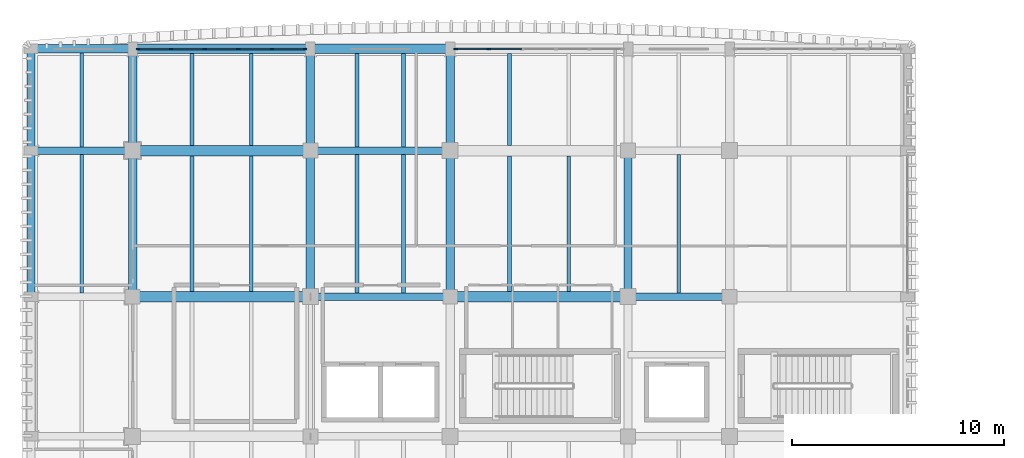
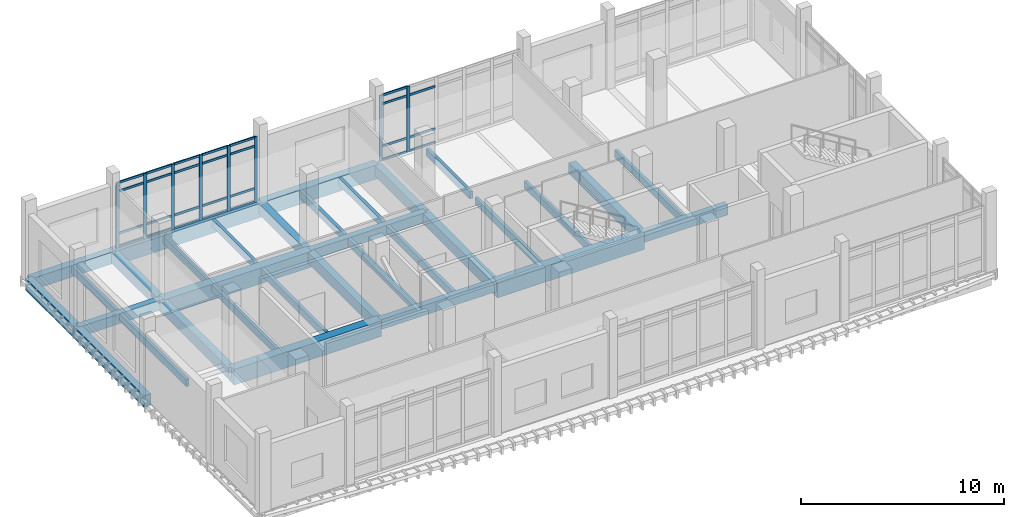
# One storey, part 4 of 37: 35 members, 33 beams, 2 elements without a shape of their own.
"""IFC4 building model written with IfcOpenShell, lengths in metres."""

from ifc_helpers import new_model, si_unit, direction, frame, origin, origin_2d, place, context, subcontext, project, spatial, rectangle, extrude, material, material_profile, profile_set, type_object, element, aggregate, save


model = new_model("IFC4")

# Units and contexts
model_context = context("Model", 3, precision=1e-05, world=origin(), true_north=direction((0.0, 1.0)))
body_context = subcontext(model_context, "Body", "Model", "MODEL_VIEW")
ifc_project = project(units=[si_unit("LENGTHUNIT", "METRE"), si_unit("AREAUNIT", "SQUARE_METRE"), si_unit("VOLUMEUNIT", "CUBIC_METRE"), si_unit("PLANEANGLEUNIT", "RADIAN"), si_unit("MASSUNIT", "GRAM", prefix="KILO")], contexts=[model_context])

# Site, building, storey
site_placement = place(None, origin())
site = spatial("IfcSite", under=ifc_project, at=site_placement, CompositionType="ELEMENT")
building_placement = place(site_placement, origin())
building = spatial("IfcBuilding", under=site, at=building_placement, Name="Dornvale Research Institute", CompositionType="ELEMENT")
storey_placement = place(building_placement, frame((0.0, 0.0, 29.39990234375)))
storey = spatial("IfcBuildingStorey", under=building, at=storey_placement, Name="L06", CompositionType="ELEMENT", Elevation=29.39990234375)

# Beams
ifc_material_1 = material(Name="Concrete f'c 45 MPa (C35/45)", Category="concrete")
ifc_material_profile_1 = material_profile(ifc_material_1, rectangle(XDim=0.35009765625, YDim=0.60009765625, at=origin_2d()), Name="RC 350x600")
ifc_profile_set_1 = profile_set([ifc_material_profile_1], Name="Concrete f'c 45 MPa (C35/45)")
beam_type_1 = type_object("IfcBeamType", Name="Beam_RC350x600_Floor", PredefinedType="BEAM", material=ifc_profile_set_1)
beam_1_placement = place(storey_placement, frame((13.199951171875, 110.39990234375, -0.2998046875), z_axis=(1.0, 0.0, 0.0), x_axis=(0.0, 1.0, 0.0)))
element("IfcBeam", 1, at=beam_1_placement, inside=storey, type_object=beam_type_1, Name="L06 primary girder #1454", PredefinedType="BEAM", context=body_context, shape_type="SweptSolid", body=[
    extrude(rectangle(XDim=0.35009765625, YDim=0.60009765625, at=origin_2d()), origin(), (0.0, 0.0, 1.0), 6.60009765625),
])
for number, where, z_axis, x_axis, name in (
    (2, (28.199951171875, 110.39990234375, -0.2998046875), (1.0, 0.0, 0.0), (0.0, 1.0, 0.0), "L06 primary girder #1456"),
    (3, (0.0, 117.300048828125, -0.2998046875), (1.0, 0.0, 0.0), (0.0, 1.0, 0.0), "L06 primary girder #1458"),
):
    element("IfcBeam", number, at=place(storey_placement, frame(where, z_axis=z_axis, x_axis=x_axis)), inside=storey, type_object=beam_type_1, Name=name, PredefinedType="BEAM", context=body_context, shape_type="SweptSolid", body=[
        extrude(rectangle(XDim=0.35009765625, YDim=0.60009765625, at=origin_2d()), origin(), (0.0, 0.0, 1.0), 4.800048828125),
    ])
beam_2_placement = place(storey_placement, frame((13.199951171875, 117.300048828125, -0.2998046875), z_axis=(1.0, 0.0, 0.0), x_axis=(0.0, 1.0, 0.0)))
element("IfcBeam", 4, at=beam_2_placement, inside=storey, type_object=beam_type_1, Name="L06 primary girder #1460", PredefinedType="BEAM", context=body_context, shape_type="SweptSolid", body=[
    extrude(rectangle(XDim=0.35009765625, YDim=0.60009765625, at=origin_2d()), origin(), (0.0, 0.0, 1.0), 6.60009765625),
])
ifc_material_2 = material(Name="Concrete f'c 45 MPa (C35/45)", Category="concrete")
ifc_material_profile_2 = material_profile(ifc_material_2, rectangle(XDim=0.39990234375, YDim=0.64990234375, at=origin_2d()), Name="RC 400x650")
ifc_profile_set_2 = profile_set([ifc_material_profile_2], Name="Concrete f'c 45 MPa (C35/45)")
beam_type_2 = type_object("IfcBeamType", Name="Beam_RC400x650_Floor", PredefinedType="BEAM", material=ifc_profile_set_2)
beam_3_placement = place(storey_placement, frame((4.800048828125, 110.39990234375, -0.324951171875), z_axis=(0.0, 1.0, 0.0), x_axis=(-1.0, 0.0, 0.0)))
element("IfcBeam", 5, at=beam_3_placement, inside=storey, type_object=beam_type_2, Name="L06 transverse girder #1476", PredefinedType="BEAM", context=body_context, shape_type="SweptSolid", body=[
    extrude(rectangle(XDim=0.39990234375, YDim=0.64990234375, at=origin_2d()), origin(), (0.0, 0.0, 1.0), 6.900146484375),
])
beam_4_placement = place(storey_placement, frame((4.800048828125, 117.300048828125, -0.324951171875), z_axis=(0.0, 1.0, 0.0), x_axis=(-1.0, 0.0, 0.0)))
element("IfcBeam", 6, at=beam_4_placement, inside=storey, type_object=beam_type_2, Name="L06 transverse girder #1477", PredefinedType="BEAM", context=body_context, shape_type="SweptSolid", body=[
    extrude(rectangle(XDim=0.39990234375, YDim=0.64990234375, at=origin_2d()), origin(), (0.0, 0.0, 1.0), 4.800048828125),
])
beam_5_placement = place(storey_placement, frame((13.199951171875, 110.39990234375, -0.324951171875), z_axis=(0.0, 1.0, 0.0), x_axis=(-1.0, 0.0, 0.0)))
element("IfcBeam", 7, at=beam_5_placement, inside=storey, type_object=beam_type_2, Name="L06 transverse girder #1480", PredefinedType="BEAM", context=body_context, shape_type="SweptSolid", body=[
    extrude(rectangle(XDim=0.39990234375, YDim=0.64990234375, at=origin_2d()), origin(), (0.0, 0.0, 1.0), 6.900146484375),
])
beam_6_placement = place(storey_placement, frame((13.199951171875, 117.300048828125, -0.324951171875), z_axis=(0.0, 1.0, 0.0), x_axis=(-1.0, 0.0, 0.0)))
element("IfcBeam", 8, at=beam_6_placement, inside=storey, type_object=beam_type_2, Name="L06 transverse girder #1481", PredefinedType="BEAM", context=body_context, shape_type="SweptSolid", body=[
    extrude(rectangle(XDim=0.39990234375, YDim=0.64990234375, at=origin_2d()), origin(), (0.0, 0.0, 1.0), 4.800048828125),
])
beam_7_placement = place(storey_placement, frame((19.800048828125, 110.39990234375, -0.324951171875), z_axis=(0.0, 1.0, 0.0), x_axis=(-1.0, 0.0, 0.0)))
element("IfcBeam", 9, at=beam_7_placement, inside=storey, type_object=beam_type_2, Name="L06 transverse girder #1484", PredefinedType="BEAM", context=body_context, shape_type="SweptSolid", body=[
    extrude(rectangle(XDim=0.39990234375, YDim=0.64990234375, at=origin_2d()), origin(), (0.0, 0.0, 1.0), 6.900146484375),
])
beam_8_placement = place(storey_placement, frame((19.800048828125, 117.300048828125, -0.324951171875), z_axis=(0.0, 1.0, 0.0), x_axis=(-1.0, 0.0, 0.0)))
element("IfcBeam", 10, at=beam_8_placement, inside=storey, type_object=beam_type_2, Name="L06 transverse girder #1485", PredefinedType="BEAM", context=body_context, shape_type="SweptSolid", body=[
    extrude(rectangle(XDim=0.39990234375, YDim=0.64990234375, at=origin_2d()), origin(), (0.0, 0.0, 1.0), 4.800048828125),
])
beam_9_placement = place(storey_placement, frame((28.199951171875, 110.39990234375, -0.324951171875), z_axis=(0.0, 1.0, 0.0), x_axis=(-1.0, 0.0, 0.0)))
element("IfcBeam", 11, at=beam_9_placement, inside=storey, type_object=beam_type_2, Name="L06 transverse girder #1488", PredefinedType="BEAM", context=body_context, shape_type="SweptSolid", body=[
    extrude(rectangle(XDim=0.39990234375, YDim=0.64990234375, at=origin_2d()), origin(), (0.0, 0.0, 1.0), 6.900146484375),
])
ifc_material_3 = material(Name="Concrete f'c 45 MPa (C35/45)", Category="concrete")
ifc_material_profile_3 = material_profile(ifc_material_3, rectangle(XDim=0.5, YDim=0.949951171875, at=origin_2d()), Name="RC 500x950")
ifc_profile_set_3 = profile_set([ifc_material_profile_3], Name="Concrete f'c 45 MPa (C35/45)")
beam_type_3 = type_object("IfcBeamType", Name="Beam_RC500x950_Girder", PredefinedType="BEAM", material=ifc_profile_set_3)
for number, where, z_axis, x_axis, name in (
    (12, (4.800048828125, 110.39990234375, -0.474853515625), (1.0, 0.0, 0.0), (0.0, 1.0, 0.0), "L06 primary girder #1453"),
    (13, (19.800048828125, 110.39990234375, -0.474853515625), (1.0, 0.0, 0.0), (0.0, 1.0, 0.0), "L06 primary girder #1455"),
    (14, (4.800048828125, 117.300048828125, -0.474853515625), (1.0, 0.0, 0.0), (0.0, 1.0, 0.0), "L06 primary girder #1459"),
):
    element("IfcBeam", number, at=place(storey_placement, frame(where, z_axis=z_axis, x_axis=x_axis)), inside=storey, type_object=beam_type_3, Name=name, PredefinedType="BEAM", context=body_context, shape_type="SweptSolid", body=[
        extrude(rectangle(XDim=0.5, YDim=0.949951171875, at=origin_2d()), origin(), (0.0, 0.0, 1.0), 8.39990234375),
    ])
ifc_material_4 = material(Name="Concrete f'c 45 MPa (C35/45)", Category="concrete")
ifc_material_profile_4 = material_profile(ifc_material_4, rectangle(XDim=0.179931640625, YDim=0.43505859375, at=origin_2d()), Name="RC 180x435")
ifc_profile_set_4 = profile_set([ifc_material_profile_4], Name="Concrete f'c 45 MPa (C35/45)")
beam_type_4 = type_object("IfcBeamType", Name="Joist_RC180x435_Rib", PredefinedType="JOIST", material=ifc_profile_set_4)
beam_10_placement = place(storey_placement, frame((2.39990234375, 110.574951171875, -0.21728515625), z_axis=(0.0, 1.0, 0.0), x_axis=(-1.0, 0.0, 0.0)))
element("IfcBeam", 15, at=beam_10_placement, inside=storey, type_object=beam_type_4, Name="L06 laboratory waffle joist #696", PredefinedType="JOIST", context=body_context, shape_type="SweptSolid", body=[
    extrude(rectangle(XDim=0.179931640625, YDim=0.43505859375, at=origin_2d()), origin(), (0.0, 0.0, 1.0), 6.550048828125),
])
beam_11_placement = place(storey_placement, frame((2.39990234375, 117.47509765625, -0.21728515625), z_axis=(0.0, 1.0, 0.0), x_axis=(-1.0, 0.0, 0.0)))
element("IfcBeam", 16, at=beam_11_placement, inside=storey, type_object=beam_type_4, Name="L06 laboratory waffle joist #697", PredefinedType="JOIST", context=body_context, shape_type="SweptSolid", body=[
    extrude(rectangle(XDim=0.179931640625, YDim=0.43505859375, at=origin_2d()), origin(), (0.0, 0.0, 1.0), 4.4248046875),
])
for number, where, z_axis, x_axis, name in (
    (17, (7.60009765625, 110.64990234375, -0.21728515625), (0.0, 1.0, 0.0), (-1.0, 0.0, 0.0), "L06 laboratory waffle joist #702"),
    (18, (10.39990234375, 110.64990234375, -0.21728515625), (0.0, 1.0, 0.0), (-1.0, 0.0, 0.0), "L06 laboratory waffle joist #703"),
):
    element("IfcBeam", number, at=place(storey_placement, frame(where, z_axis=z_axis, x_axis=x_axis)), inside=storey, type_object=beam_type_4, Name=name, PredefinedType="JOIST", context=body_context, shape_type="SweptSolid", body=[
        extrude(rectangle(XDim=0.179931640625, YDim=0.43505859375, at=origin_2d()), origin(), (0.0, 0.0, 1.0), 6.400146484375),
    ])
for number, where, z_axis, x_axis, name in (
    (19, (7.60009765625, 117.550048828125, -0.21728515625), (0.0, 1.0, 0.0), (-1.0, 0.0, 0.0), "L06 laboratory waffle joist #704"),
    (20, (10.39990234375, 117.550048828125, -0.21728515625), (0.0, 1.0, 0.0), (-1.0, 0.0, 0.0), "L06 laboratory waffle joist #705"),
):
    element("IfcBeam", number, at=place(storey_placement, frame(where, z_axis=z_axis, x_axis=x_axis)), inside=storey, type_object=beam_type_4, Name=name, PredefinedType="JOIST", context=body_context, shape_type="SweptSolid", body=[
        extrude(rectangle(XDim=0.179931640625, YDim=0.43505859375, at=origin_2d()), origin(), (0.0, 0.0, 1.0), 4.324951171875),
    ])
for number, where, z_axis, x_axis, name in (
    (21, (15.39990234375, 110.574951171875, -0.21728515625), (0.0, 1.0, 0.0), (-1.0, 0.0, 0.0), "L06 laboratory waffle joist #708"),
    (22, (17.60009765625, 110.574951171875, -0.21728515625), (0.0, 1.0, 0.0), (-1.0, 0.0, 0.0), "L06 laboratory waffle joist #709"),
):
    element("IfcBeam", number, at=place(storey_placement, frame(where, z_axis=z_axis, x_axis=x_axis)), inside=storey, type_object=beam_type_4, Name=name, PredefinedType="JOIST", context=body_context, shape_type="SweptSolid", body=[
        extrude(rectangle(XDim=0.179931640625, YDim=0.43505859375, at=origin_2d()), origin(), (0.0, 0.0, 1.0), 6.550048828125),
    ])
for number, where, z_axis, x_axis, name in (
    (23, (15.39990234375, 117.47509765625, -0.21728515625), (0.0, 1.0, 0.0), (-1.0, 0.0, 0.0), "L06 laboratory waffle joist #710"),
    (24, (17.60009765625, 117.47509765625, -0.21728515625), (0.0, 1.0, 0.0), (-1.0, 0.0, 0.0), "L06 laboratory waffle joist #711"),
):
    element("IfcBeam", number, at=place(storey_placement, frame(where, z_axis=z_axis, x_axis=x_axis)), inside=storey, type_object=beam_type_4, Name=name, PredefinedType="JOIST", context=body_context, shape_type="SweptSolid", body=[
        extrude(rectangle(XDim=0.179931640625, YDim=0.43505859375, at=origin_2d()), origin(), (0.0, 0.0, 1.0), 4.39990234375),
    ])
for number, where, z_axis, x_axis, name in (
    (25, (22.60009765625, 110.64990234375, -0.21728515625), (0.0, 1.0, 0.0), (-1.0, 0.0, 0.0), "L06 laboratory waffle joist #714"),
    (26, (25.39990234375, 110.64990234375, -0.21728515625), (0.0, 1.0, 0.0), (-1.0, 0.0, 0.0), "L06 laboratory waffle joist #715"),
):
    element("IfcBeam", number, at=place(storey_placement, frame(where, z_axis=z_axis, x_axis=x_axis)), inside=storey, type_object=beam_type_4, Name=name, PredefinedType="JOIST", context=body_context, shape_type="SweptSolid", body=[
        extrude(rectangle(XDim=0.179931640625, YDim=0.43505859375, at=origin_2d()), origin(), (0.0, 0.0, 1.0), 6.400146484375),
    ])
beam_12_placement = place(storey_placement, frame((22.60009765625, 117.550048828125, -0.21728515625), z_axis=(0.0, 1.0, 0.0), x_axis=(-1.0, 0.0, 0.0)))
element("IfcBeam", 27, at=beam_12_placement, inside=storey, type_object=beam_type_4, Name="L06 laboratory waffle joist #716", PredefinedType="JOIST", context=body_context, shape_type="SweptSolid", body=[
    extrude(rectangle(XDim=0.179931640625, YDim=0.43505859375, at=origin_2d()), origin(), (0.0, 0.0, 1.0), 4.324951171875),
])
beam_13_placement = place(storey_placement, frame((30.60009765625, 110.574951171875, -0.21728515625), z_axis=(0.0, 1.0, 0.0), x_axis=(-1.0, 0.0, 0.0)))
element("IfcBeam", 28, at=beam_13_placement, inside=storey, type_object=beam_type_4, Name="L06 laboratory waffle joist #719", PredefinedType="JOIST", context=body_context, shape_type="SweptSolid", body=[
    extrude(rectangle(XDim=0.179931640625, YDim=0.43505859375, at=origin_2d()), origin(), (0.0, 0.0, 1.0), 6.550048828125),
])

# Curtain wall, members
ifc_material_5 = material(Name="Low-E Argon Double Insulating Glazing Unit", Category="glass")
curtain_wall_type = type_object("IfcCurtainWallType", Name="UnitisedCurtainWall_V5_7950x3950", PredefinedType="USERDEFINED", material=ifc_material_5)
curtain_wall_1_placement = place(storey_placement, origin())
curtain_wall_1 = element("IfcCurtainWall", 29, at=curtain_wall_1_placement, inside=storey, type_object=curtain_wall_type, Name="L06 V5 unitised curtain wall CW-30 #173", ObjectType="UNITISED CURTAIN WALL", PredefinedType="USERDEFINED")
ifc_material_6 = material(Name="Anodized Aluminum AA 6063-T6 Thermally Broken Frame", Category="aluminium")
ifc_material_profile_5 = material_profile(ifc_material_6, rectangle(XDim=0.06494140625, YDim=0.179931640625, at=origin_2d()), Name="ALU MULLION 65x180")
ifc_profile_set_5 = profile_set([ifc_material_profile_5], Name="Anodized Aluminum AA 6063-T6 Thermally Broken Frame")
member_type_1 = type_object("IfcMemberType", Name="Mullion_CW_65x180", PredefinedType="MULLION", material=ifc_profile_set_5)
member_1_placement = place(storey_placement, frame((5.0576171875, 122.10009765625, 0.0), z_axis=(0.0, 0.0, 1.0), x_axis=(0.0, 1.0, 0.0)))
member_1 = element("IfcMember", 30, at=member_1_placement, type_object=member_type_1, Name="CW-30 mullion 1", PredefinedType="MULLION", context=body_context, shape_type="SweptSolid", body=[
    extrude(rectangle(XDim=0.06494140625, YDim=0.179931640625, at=origin_2d()), origin(), (0.0, 0.0, 1.0), 3.9501953125),
])
member_2_placement = place(storey_placement, frame((6.614990234375, 122.10009765625, 0.0), z_axis=(0.0, 0.0, 1.0), x_axis=(0.0, 1.0, 0.0)))
member_2 = element("IfcMember", 31, at=member_2_placement, type_object=member_type_1, Name="CW-30 mullion 2", PredefinedType="MULLION", context=body_context, shape_type="SweptSolid", body=[
    extrude(rectangle(XDim=0.06494140625, YDim=0.179931640625, at=origin_2d()), origin(), (0.0, 0.0, 1.0), 3.9501953125),
])
member_3_placement = place(storey_placement, frame((8.205078125, 122.10009765625, 0.0), z_axis=(0.0, 0.0, 1.0), x_axis=(0.0, 1.0, 0.0)))
member_3 = element("IfcMember", 32, at=member_3_placement, type_object=member_type_1, Name="CW-30 mullion 3", PredefinedType="MULLION", context=body_context, shape_type="SweptSolid", body=[
    extrude(rectangle(XDim=0.06494140625, YDim=0.179931640625, at=origin_2d()), origin(), (0.0, 0.0, 1.0), 3.9501953125),
])
member_4_placement = place(storey_placement, frame((9.794921875, 122.10009765625, 0.0), z_axis=(0.0, 0.0, 1.0), x_axis=(0.0, 1.0, 0.0)))
member_4 = element("IfcMember", 33, at=member_4_placement, type_object=member_type_1, Name="CW-30 mullion 4", PredefinedType="MULLION", context=body_context, shape_type="SweptSolid", body=[
    extrude(rectangle(XDim=0.06494140625, YDim=0.179931640625, at=origin_2d()), origin(), (0.0, 0.0, 1.0), 3.9501953125),
])
member_5_placement = place(storey_placement, frame((11.385009765625, 122.10009765625, 0.0), z_axis=(0.0, 0.0, 1.0), x_axis=(0.0, 1.0, 0.0)))
member_5 = element("IfcMember", 34, at=member_5_placement, type_object=member_type_1, Name="CW-30 mullion 5", PredefinedType="MULLION", context=body_context, shape_type="SweptSolid", body=[
    extrude(rectangle(XDim=0.06494140625, YDim=0.179931640625, at=origin_2d()), origin(), (0.0, 0.0, 1.0), 3.9501953125),
])
member_6_placement = place(storey_placement, frame((12.9423828125, 122.10009765625, 0.0), z_axis=(0.0, 0.0, 1.0), x_axis=(0.0, 1.0, 0.0)))
member_6 = element("IfcMember", 35, at=member_6_placement, type_object=member_type_1, Name="CW-30 mullion 6", PredefinedType="MULLION", context=body_context, shape_type="SweptSolid", body=[
    extrude(rectangle(XDim=0.06494140625, YDim=0.179931640625, at=origin_2d()), origin(), (0.0, 0.0, 1.0), 3.9501953125),
])

curtain_wall_2_placement = place(storey_placement, origin())
curtain_wall_2 = element("IfcCurtainWall", 36, at=curtain_wall_2_placement, inside=storey, type_object=curtain_wall_type, Name="L06 V5 unitised curtain wall CW-30 #174", ObjectType="UNITISED CURTAIN WALL", PredefinedType="USERDEFINED")
member_7_placement = place(storey_placement, frame((20.0576171875, 122.10009765625, 0.0), z_axis=(0.0, 0.0, 1.0), x_axis=(0.0, 1.0, 0.0)))
member_7 = element("IfcMember", 37, at=member_7_placement, type_object=member_type_1, Name="CW-30 mullion 1", PredefinedType="MULLION", context=body_context, shape_type="SweptSolid", body=[
    extrude(rectangle(XDim=0.06494140625, YDim=0.179931640625, at=origin_2d()), origin(), (0.0, 0.0, 1.0), 3.9501953125),
])
member_8_placement = place(storey_placement, frame((21.614990234375, 122.10009765625, 0.0), z_axis=(0.0, 0.0, 1.0), x_axis=(0.0, 1.0, 0.0)))
member_8 = element("IfcMember", 38, at=member_8_placement, type_object=member_type_1, Name="CW-30 mullion 2", PredefinedType="MULLION", context=body_context, shape_type="SweptSolid", body=[
    extrude(rectangle(XDim=0.06494140625, YDim=0.179931640625, at=origin_2d()), origin(), (0.0, 0.0, 1.0), 3.9501953125),
])

# Beams
ifc_material_7 = material(Name="Concrete f'c 45 MPa (C35/45)", Category="concrete")
ifc_material_profile_6 = material_profile(ifc_material_7, rectangle(XDim=0.39990234375, YDim=0.699951171875, at=origin_2d()), Name="RC 400x700")
ifc_profile_set_6 = profile_set([ifc_material_profile_6], Name="Concrete f'c 45 MPa (C35/45)")
beam_type_5 = type_object("IfcBeamType", Name="Spandrel_RC400x700_Ext", PredefinedType="SPANDREL", material=ifc_profile_set_6)
beam_14_placement = place(storey_placement, frame((0.0, 122.10009765625, -0.349853515625), z_axis=(1.0, 0.0, 0.0), x_axis=(0.0, 1.0, 0.0)))
element("IfcBeam", 39, at=beam_14_placement, inside=storey, type_object=beam_type_5, Name="L06 perimeter spandrel #1464", PredefinedType="SPANDREL", context=body_context, shape_type="SweptSolid", body=[
    extrude(rectangle(XDim=0.39990234375, YDim=0.699951171875, at=origin_2d()), origin(), (0.0, 0.0, 1.0), 4.800048828125),
])
beam_15_placement = place(storey_placement, frame((0.0, 110.39990234375, -0.349853515625), z_axis=(0.0, 1.0, 0.0), x_axis=(-1.0, 0.0, 0.0)))
element("IfcBeam", 40, at=beam_15_placement, inside=storey, type_object=beam_type_5, Name="L06 perimeter spandrel #1472", PredefinedType="SPANDREL", context=body_context, shape_type="SweptSolid", body=[
    extrude(rectangle(XDim=0.39990234375, YDim=0.699951171875, at=origin_2d()), origin(), (0.0, 0.0, 1.0), 6.900146484375),
])
beam_16_placement = place(storey_placement, frame((0.0, 117.300048828125, -0.349853515625), z_axis=(0.0, 1.0, 0.0), x_axis=(-1.0, 0.0, 0.0)))
element("IfcBeam", 41, at=beam_16_placement, inside=storey, type_object=beam_type_5, Name="L06 perimeter spandrel #1473", PredefinedType="SPANDREL", context=body_context, shape_type="SweptSolid", body=[
    extrude(rectangle(XDim=0.39990234375, YDim=0.699951171875, at=origin_2d()), origin(), (0.0, 0.0, 1.0), 4.800048828125),
])
ifc_material_8 = material(Name="Concrete f'c 45 MPa (C35/45)", Category="concrete")
ifc_material_profile_7 = material_profile(ifc_material_8, rectangle(XDim=0.449951171875, YDim=0.85009765625, at=origin_2d()), Name="RC 450x850")
ifc_profile_set_7 = profile_set([ifc_material_profile_7], Name="Concrete f'c 45 MPa (C35/45)")
beam_type_6 = type_object("IfcBeamType", Name="Spandrel_RC450x850_Ext", PredefinedType="SPANDREL", material=ifc_profile_set_7)
beam_17_placement = place(storey_placement, frame((4.800048828125, 122.10009765625, -0.4248046875), z_axis=(1.0, 0.0, 0.0), x_axis=(0.0, 1.0, 0.0)))
element("IfcBeam", 42, at=beam_17_placement, inside=storey, type_object=beam_type_6, Name="L06 perimeter spandrel #1465", PredefinedType="SPANDREL", context=body_context, shape_type="SweptSolid", body=[
    extrude(rectangle(XDim=0.449951171875, YDim=0.85009765625, at=origin_2d()), origin(), (0.0, 0.0, 1.0), 8.39990234375),
])
beam_18_placement = place(storey_placement, frame((13.199951171875, 122.10009765625, -0.4248046875), z_axis=(1.0, 0.0, 0.0), x_axis=(0.0, 1.0, 0.0)))
element("IfcBeam", 43, at=beam_18_placement, inside=storey, type_object=beam_type_6, Name="L06 perimeter spandrel #1466", PredefinedType="SPANDREL", context=body_context, shape_type="SweptSolid", body=[
    extrude(rectangle(XDim=0.449951171875, YDim=0.85009765625, at=origin_2d()), origin(), (0.0, 0.0, 1.0), 6.60009765625),
])

# Member
ifc_material_9 = material(Name="Anodized Aluminum AA 6063-T6 Thermally Broken Frame", Category="aluminium")
ifc_material_profile_8 = material_profile(ifc_material_9, rectangle(XDim=0.06494140625, YDim=0.135009765625, at=origin_2d()), Name="ALU TRANSOM 65x135")
ifc_profile_set_8 = profile_set([ifc_material_profile_8], Name="Anodized Aluminum AA 6063-T6 Thermally Broken Frame")
member_type_2 = type_object("IfcMemberType", Name="Transom_CW_65x135", PredefinedType="USERDEFINED", material=ifc_profile_set_8)
member_9_placement = place(storey_placement, frame((5.090087890625, 122.10009765625, 0.03271484375), z_axis=(1.0, 0.0, 0.0), x_axis=(0.0, 1.0, 0.0)))
member_9 = element("IfcMember", 44, at=member_9_placement, type_object=member_type_2, Name="CW-30 transom 1.1", ObjectType="TRANSOM", PredefinedType="USERDEFINED", context=body_context, shape_type="SweptSolid", body=[
    extrude(rectangle(XDim=0.06494140625, YDim=0.135009765625, at=origin_2d()), origin(), (0.0, 0.0, 1.0), 1.492431640625),
])

member_10_placement = place(storey_placement, frame((5.090087890625, 122.10009765625, 0.85009765625), z_axis=(1.0, 0.0, 0.0), x_axis=(0.0, 1.0, 0.0)))
member_10 = element("IfcMember", 45, at=member_10_placement, type_object=member_type_2, Name="CW-30 transom 1.2", ObjectType="TRANSOM", PredefinedType="USERDEFINED", context=body_context, shape_type="SweptSolid", body=[
    extrude(rectangle(XDim=0.06494140625, YDim=0.135009765625, at=origin_2d()), origin(), (0.0, 0.0, 1.0), 1.492431640625),
])

member_11_placement = place(storey_placement, frame((5.090087890625, 122.10009765625, 3.400146484375), z_axis=(1.0, 0.0, 0.0), x_axis=(0.0, 1.0, 0.0)))
member_11 = element("IfcMember", 46, at=member_11_placement, type_object=member_type_2, Name="CW-30 transom 1.3", ObjectType="TRANSOM", PredefinedType="USERDEFINED", context=body_context, shape_type="SweptSolid", body=[
    extrude(rectangle(XDim=0.06494140625, YDim=0.135009765625, at=origin_2d()), origin(), (0.0, 0.0, 1.0), 1.492431640625),
])

member_12_placement = place(storey_placement, frame((5.090087890625, 122.10009765625, 3.91748046875), z_axis=(1.0, 0.0, 0.0), x_axis=(0.0, 1.0, 0.0)))
member_12 = element("IfcMember", 47, at=member_12_placement, type_object=member_type_2, Name="CW-30 transom 1.4", ObjectType="TRANSOM", PredefinedType="USERDEFINED", context=body_context, shape_type="SweptSolid", body=[
    extrude(rectangle(XDim=0.06494140625, YDim=0.135009765625, at=origin_2d()), origin(), (0.0, 0.0, 1.0), 1.492431640625),
])

member_13_placement = place(storey_placement, frame((6.6474609375, 122.10009765625, 0.03271484375), z_axis=(1.0, 0.0, 0.0), x_axis=(0.0, 1.0, 0.0)))
member_13 = element("IfcMember", 48, at=member_13_placement, type_object=member_type_2, Name="CW-30 transom 2.1", ObjectType="TRANSOM", PredefinedType="USERDEFINED", context=body_context, shape_type="SweptSolid", body=[
    extrude(rectangle(XDim=0.06494140625, YDim=0.135009765625, at=origin_2d()), origin(), (0.0, 0.0, 1.0), 1.525146484375),
])

member_14_placement = place(storey_placement, frame((6.6474609375, 122.10009765625, 0.85009765625), z_axis=(1.0, 0.0, 0.0), x_axis=(0.0, 1.0, 0.0)))
member_14 = element("IfcMember", 49, at=member_14_placement, type_object=member_type_2, Name="CW-30 transom 2.2", ObjectType="TRANSOM", PredefinedType="USERDEFINED", context=body_context, shape_type="SweptSolid", body=[
    extrude(rectangle(XDim=0.06494140625, YDim=0.135009765625, at=origin_2d()), origin(), (0.0, 0.0, 1.0), 1.525146484375),
])

member_15_placement = place(storey_placement, frame((6.6474609375, 122.10009765625, 3.400146484375), z_axis=(1.0, 0.0, 0.0), x_axis=(0.0, 1.0, 0.0)))
member_15 = element("IfcMember", 50, at=member_15_placement, type_object=member_type_2, Name="CW-30 transom 2.3", ObjectType="TRANSOM", PredefinedType="USERDEFINED", context=body_context, shape_type="SweptSolid", body=[
    extrude(rectangle(XDim=0.06494140625, YDim=0.135009765625, at=origin_2d()), origin(), (0.0, 0.0, 1.0), 1.525146484375),
])

member_16_placement = place(storey_placement, frame((6.6474609375, 122.10009765625, 3.91748046875), z_axis=(1.0, 0.0, 0.0), x_axis=(0.0, 1.0, 0.0)))
member_16 = element("IfcMember", 51, at=member_16_placement, type_object=member_type_2, Name="CW-30 transom 2.4", ObjectType="TRANSOM", PredefinedType="USERDEFINED", context=body_context, shape_type="SweptSolid", body=[
    extrude(rectangle(XDim=0.06494140625, YDim=0.135009765625, at=origin_2d()), origin(), (0.0, 0.0, 1.0), 1.525146484375),
])

member_17_placement = place(storey_placement, frame((8.237548828125, 122.10009765625, 0.03271484375), z_axis=(1.0, 0.0, 0.0), x_axis=(0.0, 1.0, 0.0)))
member_17 = element("IfcMember", 52, at=member_17_placement, type_object=member_type_2, Name="CW-30 transom 3.1", ObjectType="TRANSOM", PredefinedType="USERDEFINED", context=body_context, shape_type="SweptSolid", body=[
    extrude(rectangle(XDim=0.06494140625, YDim=0.135009765625, at=origin_2d()), origin(), (0.0, 0.0, 1.0), 1.52490234375),
])

member_18_placement = place(storey_placement, frame((8.237548828125, 122.10009765625, 0.85009765625), z_axis=(1.0, 0.0, 0.0), x_axis=(0.0, 1.0, 0.0)))
member_18 = element("IfcMember", 53, at=member_18_placement, type_object=member_type_2, Name="CW-30 transom 3.2", ObjectType="TRANSOM", PredefinedType="USERDEFINED", context=body_context, shape_type="SweptSolid", body=[
    extrude(rectangle(XDim=0.06494140625, YDim=0.135009765625, at=origin_2d()), origin(), (0.0, 0.0, 1.0), 1.52490234375),
])

member_19_placement = place(storey_placement, frame((8.237548828125, 122.10009765625, 3.400146484375), z_axis=(1.0, 0.0, 0.0), x_axis=(0.0, 1.0, 0.0)))
member_19 = element("IfcMember", 54, at=member_19_placement, type_object=member_type_2, Name="CW-30 transom 3.3", ObjectType="TRANSOM", PredefinedType="USERDEFINED", context=body_context, shape_type="SweptSolid", body=[
    extrude(rectangle(XDim=0.06494140625, YDim=0.135009765625, at=origin_2d()), origin(), (0.0, 0.0, 1.0), 1.52490234375),
])

member_20_placement = place(storey_placement, frame((8.237548828125, 122.10009765625, 3.91748046875), z_axis=(1.0, 0.0, 0.0), x_axis=(0.0, 1.0, 0.0)))
member_20 = element("IfcMember", 55, at=member_20_placement, type_object=member_type_2, Name="CW-30 transom 3.4", ObjectType="TRANSOM", PredefinedType="USERDEFINED", context=body_context, shape_type="SweptSolid", body=[
    extrude(rectangle(XDim=0.06494140625, YDim=0.135009765625, at=origin_2d()), origin(), (0.0, 0.0, 1.0), 1.52490234375),
])

member_21_placement = place(storey_placement, frame((9.827392578125, 122.10009765625, 0.03271484375), z_axis=(1.0, 0.0, 0.0), x_axis=(0.0, 1.0, 0.0)))
member_21 = element("IfcMember", 56, at=member_21_placement, type_object=member_type_2, Name="CW-30 transom 4.1", ObjectType="TRANSOM", PredefinedType="USERDEFINED", context=body_context, shape_type="SweptSolid", body=[
    extrude(rectangle(XDim=0.06494140625, YDim=0.135009765625, at=origin_2d()), origin(), (0.0, 0.0, 1.0), 1.525146484375),
])

member_22_placement = place(storey_placement, frame((9.827392578125, 122.10009765625, 0.85009765625), z_axis=(1.0, 0.0, 0.0), x_axis=(0.0, 1.0, 0.0)))
member_22 = element("IfcMember", 57, at=member_22_placement, type_object=member_type_2, Name="CW-30 transom 4.2", ObjectType="TRANSOM", PredefinedType="USERDEFINED", context=body_context, shape_type="SweptSolid", body=[
    extrude(rectangle(XDim=0.06494140625, YDim=0.135009765625, at=origin_2d()), origin(), (0.0, 0.0, 1.0), 1.525146484375),
])

member_23_placement = place(storey_placement, frame((9.827392578125, 122.10009765625, 3.400146484375), z_axis=(1.0, 0.0, 0.0), x_axis=(0.0, 1.0, 0.0)))
member_23 = element("IfcMember", 58, at=member_23_placement, type_object=member_type_2, Name="CW-30 transom 4.3", ObjectType="TRANSOM", PredefinedType="USERDEFINED", context=body_context, shape_type="SweptSolid", body=[
    extrude(rectangle(XDim=0.06494140625, YDim=0.135009765625, at=origin_2d()), origin(), (0.0, 0.0, 1.0), 1.525146484375),
])

member_24_placement = place(storey_placement, frame((9.827392578125, 122.10009765625, 3.91748046875), z_axis=(1.0, 0.0, 0.0), x_axis=(0.0, 1.0, 0.0)))
member_24 = element("IfcMember", 59, at=member_24_placement, type_object=member_type_2, Name="CW-30 transom 4.4", ObjectType="TRANSOM", PredefinedType="USERDEFINED", context=body_context, shape_type="SweptSolid", body=[
    extrude(rectangle(XDim=0.06494140625, YDim=0.135009765625, at=origin_2d()), origin(), (0.0, 0.0, 1.0), 1.525146484375),
])

member_25_placement = place(storey_placement, frame((11.41748046875, 122.10009765625, 0.03271484375), z_axis=(1.0, 0.0, 0.0), x_axis=(0.0, 1.0, 0.0)))
member_25 = element("IfcMember", 60, at=member_25_placement, type_object=member_type_2, Name="CW-30 transom 5.1", ObjectType="TRANSOM", PredefinedType="USERDEFINED", context=body_context, shape_type="SweptSolid", body=[
    extrude(rectangle(XDim=0.06494140625, YDim=0.135009765625, at=origin_2d()), origin(), (0.0, 0.0, 1.0), 1.492431640625),
])

member_26_placement = place(storey_placement, frame((11.41748046875, 122.10009765625, 0.85009765625), z_axis=(1.0, 0.0, 0.0), x_axis=(0.0, 1.0, 0.0)))
member_26 = element("IfcMember", 61, at=member_26_placement, type_object=member_type_2, Name="CW-30 transom 5.2", ObjectType="TRANSOM", PredefinedType="USERDEFINED", context=body_context, shape_type="SweptSolid", body=[
    extrude(rectangle(XDim=0.06494140625, YDim=0.135009765625, at=origin_2d()), origin(), (0.0, 0.0, 1.0), 1.492431640625),
])

member_27_placement = place(storey_placement, frame((11.41748046875, 122.10009765625, 3.400146484375), z_axis=(1.0, 0.0, 0.0), x_axis=(0.0, 1.0, 0.0)))
member_27 = element("IfcMember", 62, at=member_27_placement, type_object=member_type_2, Name="CW-30 transom 5.3", ObjectType="TRANSOM", PredefinedType="USERDEFINED", context=body_context, shape_type="SweptSolid", body=[
    extrude(rectangle(XDim=0.06494140625, YDim=0.135009765625, at=origin_2d()), origin(), (0.0, 0.0, 1.0), 1.492431640625),
])

member_28_placement = place(storey_placement, frame((11.41748046875, 122.10009765625, 3.91748046875), z_axis=(1.0, 0.0, 0.0), x_axis=(0.0, 1.0, 0.0)))
member_28 = element("IfcMember", 63, at=member_28_placement, type_object=member_type_2, Name="CW-30 transom 5.4", ObjectType="TRANSOM", PredefinedType="USERDEFINED", context=body_context, shape_type="SweptSolid", body=[
    extrude(rectangle(XDim=0.06494140625, YDim=0.135009765625, at=origin_2d()), origin(), (0.0, 0.0, 1.0), 1.492431640625),
])

aggregate(curtain_wall_1, [member_1, member_2, member_3, member_4, member_5, member_6, member_9, member_10, member_11, member_12, member_13, member_14, member_15, member_16, member_17, member_18, member_19, member_20, member_21, member_22, member_23, member_24, member_25, member_26, member_27, member_28])

member_29_placement = place(storey_placement, frame((20.090087890625, 122.10009765625, 0.03271484375), z_axis=(1.0, 0.0, 0.0), x_axis=(0.0, 1.0, 0.0)))
member_29 = element("IfcMember", 64, at=member_29_placement, type_object=member_type_2, Name="CW-30 transom 1.1", ObjectType="TRANSOM", PredefinedType="USERDEFINED", context=body_context, shape_type="SweptSolid", body=[
    extrude(rectangle(XDim=0.06494140625, YDim=0.135009765625, at=origin_2d()), origin(), (0.0, 0.0, 1.0), 1.492431640625),
])

member_30_placement = place(storey_placement, frame((20.090087890625, 122.10009765625, 0.85009765625), z_axis=(1.0, 0.0, 0.0), x_axis=(0.0, 1.0, 0.0)))
member_30 = element("IfcMember", 65, at=member_30_placement, type_object=member_type_2, Name="CW-30 transom 1.2", ObjectType="TRANSOM", PredefinedType="USERDEFINED", context=body_context, shape_type="SweptSolid", body=[
    extrude(rectangle(XDim=0.06494140625, YDim=0.135009765625, at=origin_2d()), origin(), (0.0, 0.0, 1.0), 1.492431640625),
])

member_31_placement = place(storey_placement, frame((20.090087890625, 122.10009765625, 3.400146484375), z_axis=(1.0, 0.0, 0.0), x_axis=(0.0, 1.0, 0.0)))
member_31 = element("IfcMember", 66, at=member_31_placement, type_object=member_type_2, Name="CW-30 transom 1.3", ObjectType="TRANSOM", PredefinedType="USERDEFINED", context=body_context, shape_type="SweptSolid", body=[
    extrude(rectangle(XDim=0.06494140625, YDim=0.135009765625, at=origin_2d()), origin(), (0.0, 0.0, 1.0), 1.492431640625),
])

member_32_placement = place(storey_placement, frame((20.090087890625, 122.10009765625, 3.91748046875), z_axis=(1.0, 0.0, 0.0), x_axis=(0.0, 1.0, 0.0)))
member_32 = element("IfcMember", 67, at=member_32_placement, type_object=member_type_2, Name="CW-30 transom 1.4", ObjectType="TRANSOM", PredefinedType="USERDEFINED", context=body_context, shape_type="SweptSolid", body=[
    extrude(rectangle(XDim=0.06494140625, YDim=0.135009765625, at=origin_2d()), origin(), (0.0, 0.0, 1.0), 1.492431640625),
])

member_33_placement = place(storey_placement, frame((21.6474609375, 122.10009765625, 0.03271484375), z_axis=(1.0, 0.0, 0.0), x_axis=(0.0, 1.0, 0.0)))
member_33 = element("IfcMember", 68, at=member_33_placement, type_object=member_type_2, Name="CW-30 transom 2.1", ObjectType="TRANSOM", PredefinedType="USERDEFINED", context=body_context, shape_type="SweptSolid", body=[
    extrude(rectangle(XDim=0.06494140625, YDim=0.135009765625, at=origin_2d()), origin(), (0.0, 0.0, 1.0), 1.525146484375),
])

member_34_placement = place(storey_placement, frame((21.6474609375, 122.10009765625, 0.85009765625), z_axis=(1.0, 0.0, 0.0), x_axis=(0.0, 1.0, 0.0)))
member_34 = element("IfcMember", 69, at=member_34_placement, type_object=member_type_2, Name="CW-30 transom 2.2", ObjectType="TRANSOM", PredefinedType="USERDEFINED", context=body_context, shape_type="SweptSolid", body=[
    extrude(rectangle(XDim=0.06494140625, YDim=0.135009765625, at=origin_2d()), origin(), (0.0, 0.0, 1.0), 1.525146484375),
])

member_35_placement = place(storey_placement, frame((21.6474609375, 122.10009765625, 3.400146484375), z_axis=(1.0, 0.0, 0.0), x_axis=(0.0, 1.0, 0.0)))
member_35 = element("IfcMember", 70, at=member_35_placement, type_object=member_type_2, Name="CW-30 transom 2.3", ObjectType="TRANSOM", PredefinedType="USERDEFINED", context=body_context, shape_type="SweptSolid", body=[
    extrude(rectangle(XDim=0.06494140625, YDim=0.135009765625, at=origin_2d()), origin(), (0.0, 0.0, 1.0), 1.525146484375),
])

aggregate(curtain_wall_2, [member_7, member_8, member_29, member_30, member_31, member_32, member_33, member_34, member_35])

save(model, "model.ifc")
